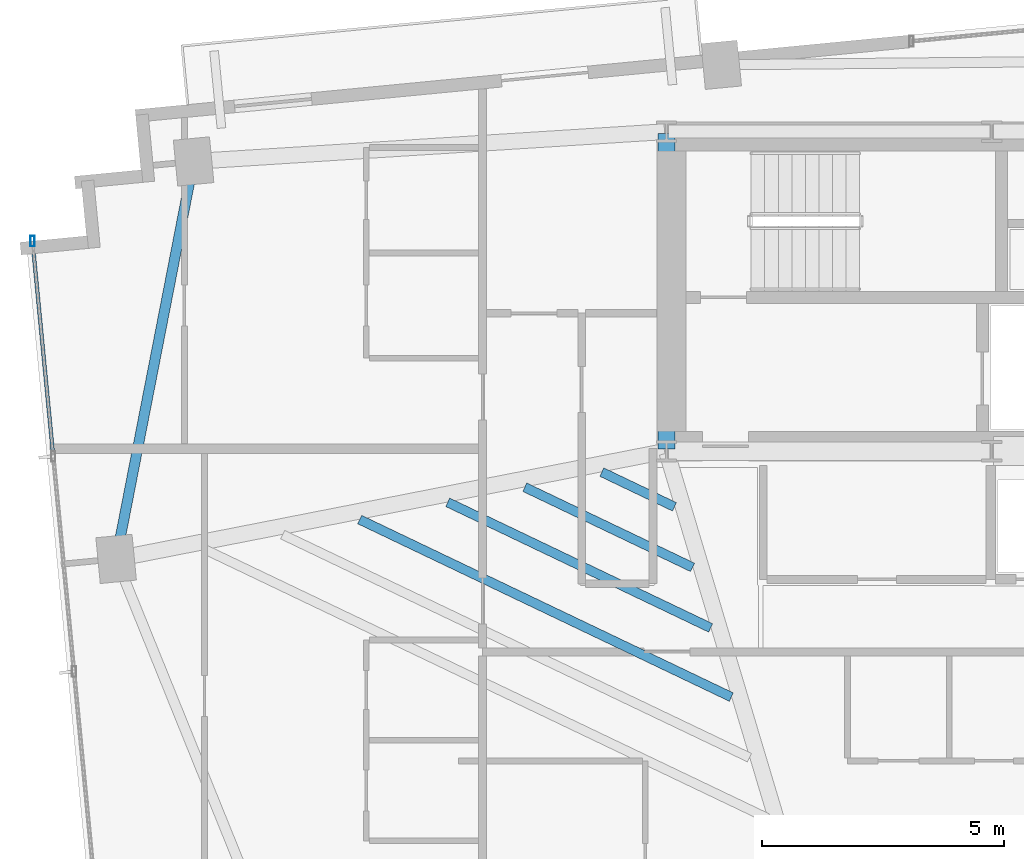
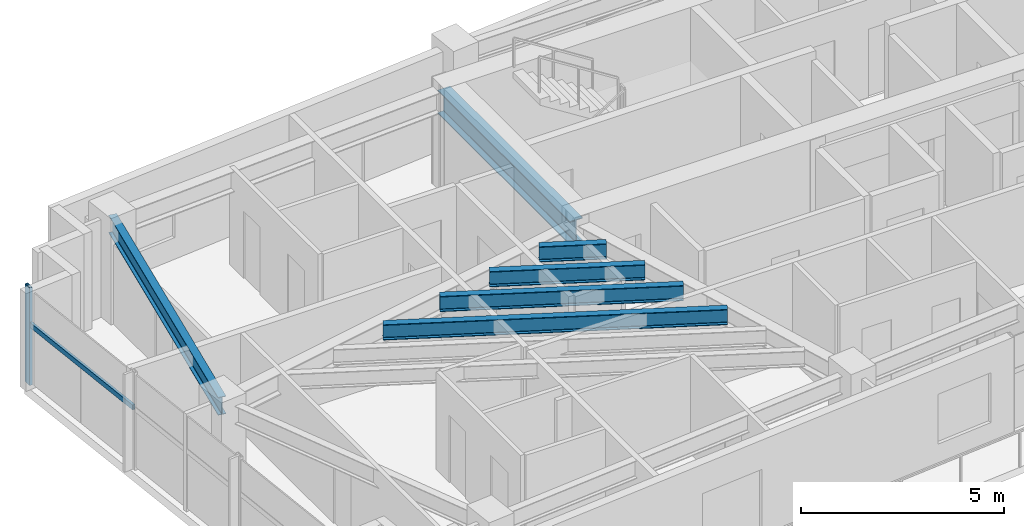
# One storey, part 3 of 18: 6 beams, 2 members, 1 element without a shape of its own.
"""IFC4 building model written with IfcOpenShell, lengths in metres."""

from ifc_helpers import new_model, si_unit, direction, frame, origin, origin_2d, place, context, subcontext, project, spatial, hollow_rectangle, i_section, extrude, source, transform, mapped, material, material_profile, profile_set, type_object, type_shapes, element, aggregate, save


model = new_model("IFC4")

# Units and contexts
model_context = context("Model", 3, precision=1e-05, world=origin(), true_north=direction((0.0, 1.0)))
body_context = subcontext(model_context, "Body", "Model", "MODEL_VIEW")
ifc_project = project(units=[si_unit("LENGTHUNIT", "METRE"), si_unit("AREAUNIT", "SQUARE_METRE"), si_unit("VOLUMEUNIT", "CUBIC_METRE"), si_unit("PLANEANGLEUNIT", "RADIAN"), si_unit("MASSUNIT", "GRAM", prefix="KILO")], contexts=[model_context])

# Site, building, storey
site_placement = place(None, origin())
site = spatial("IfcSite", under=ifc_project, at=site_placement, CompositionType="ELEMENT")
building_placement = place(site_placement, origin())
building = spatial("IfcBuilding", under=site, at=building_placement, Name="Astriad Promenade Condominiums", CompositionType="ELEMENT")
storey_placement = place(building_placement, frame((0.0, 0.0, 179.39990234375)))
storey = spatial("IfcBuildingStorey", under=building, at=storey_placement, Name="L51", CompositionType="ELEMENT", Elevation=179.39990234375)

# Beams
ifc_material_1 = material(Name="Steel ASTM A992 Grade 50", Category="steel")
ifc_material_profile_1 = material_profile(ifc_material_1, i_section(OverallWidth=0.35791015625, OverallDepth=0.706298828125, WebThickness=0.018310546875, FlangeThickness=0.0302734375, FilletRadius=0.020263671875, at=origin_2d()), Name="W27X178")
ifc_profile_set_1 = profile_set([ifc_material_profile_1], Name="Steel ASTM A992 Grade 50")
beam_type_1 = type_object("IfcBeamType", Name="STEEL FLOOR GIRDER W27X178", PredefinedType="BEAM", material=ifc_profile_set_1)
shared_shape_1 = source(origin(), body_context, "Body", "SweptSolid", [
    extrude(i_section(OverallWidth=0.35791015625, OverallDepth=0.706298828125, WebThickness=0.018310546875, FlangeThickness=0.0302734375, FilletRadius=0.020263671875, at=origin_2d()), origin(), (0.0, 0.0, 1.0), 6.52001953125),
])
type_shapes(beam_type_1, [shared_shape_1])
beam_1_placement = place(storey_placement, frame((26.39990234375, 17.43994140625, 2.5869140625), z_axis=(0.0, 1.0, 0.0), x_axis=(-1.0, 0.0, 0.0)))
element("IfcBeam", 1, at=beam_1_placement, inside=storey, type_object=beam_type_1, Name="Core Ring Beam CG-W1-L51", PredefinedType="BEAM", context=body_context, shape_type="MappedRepresentation", body=[
    mapped(shared_shape_1, transform((0.0, 0.0, 0.0), scale=1.0)),
])
ifc_material_profile_2 = material_profile(ifc_material_1, i_section(OverallWidth=0.210693359375, OverallDepth=0.53955078125, WebThickness=0.01171875, FlangeThickness=0.018798828125, FilletRadius=0.0166015625, at=origin_2d()), Name="W21X73")
ifc_profile_set_2 = profile_set([ifc_material_profile_2], Name="Steel ASTM A992 Grade 50")
beam_type_2 = type_object("IfcBeamType", Name="STEEL SPANDREL BEAM W21X73", PredefinedType="SPANDREL", material=ifc_profile_set_2)
shared_shape_2 = source(origin(), body_context, "Body", "SweptSolid", [
    extrude(i_section(OverallWidth=0.210693359375, OverallDepth=0.53955078125, WebThickness=0.01171875, FlangeThickness=0.018798828125, FilletRadius=0.0166015625, at=origin_2d()), origin(), (0.0, 0.0, 1.0), 8.28564453125),
])
type_shapes(beam_type_2, [shared_shape_2])
beam_2_placement = place(storey_placement, frame((16.62451171875, 23.3447265625, 2.67041015625), z_axis=(-0.191291582099, -0.981533254973, 0.0), x_axis=(0.981533254973, -0.191291582099, 0.0)))
element("IfcBeam", 2, at=beam_2_placement, inside=storey, type_object=beam_type_2, Name="Perimeter Spandrel Beam SP-W2-L51", PredefinedType="SPANDREL", context=body_context, shape_type="MappedRepresentation", body=[
    mapped(shared_shape_2, transform((0.0, 0.0, 0.0), scale=1.0)),
])
ifc_material_profile_3 = material_profile(ifc_material_1, i_section(OverallWidth=0.19287109375, OverallDepth=0.466064453125, WebThickness=0.011474609375, FlangeThickness=0.01904296875, FilletRadius=0.01513671875, at=origin_2d()), Name="W18X65")
ifc_profile_set_3 = profile_set([ifc_material_profile_3], Name="Steel ASTM A992 Grade 50")
beam_type_3 = type_object("IfcBeamType", Name="STEEL FLOOR JOIST W18X65", PredefinedType="JOIST", material=ifc_profile_set_3)
shared_shape_3 = source(origin(), body_context, "Body", "SweptSolid", [
    extrude(i_section(OverallWidth=0.19287109375, OverallDepth=0.466064453125, WebThickness=0.011474609375, FlangeThickness=0.01904296875, FilletRadius=0.01513671875, at=origin_2d()), origin(), (0.0, 0.0, 1.0), 8.508056640625),
])
beam_3_placement = place(storey_placement, frame((20.06298828125, 15.985595703125, 2.70703125), z_axis=(0.902339530667, -0.431025952113, 0.0), x_axis=(0.431025952113, 0.902339530667, 0.0)))
element("IfcBeam", 3, at=beam_3_placement, inside=storey, type_object=beam_type_3, Name="Secondary Composite Floor Joist JW1-3-L51", PredefinedType="JOIST", context=body_context, shape_type="MappedRepresentation", body=[
    mapped(shared_shape_3, transform((0.0, 0.0, 0.0), scale=1.0)),
])
shared_shape_4 = source(origin(), body_context, "Body", "SweptSolid", [
    extrude(i_section(OverallWidth=0.19287109375, OverallDepth=0.466064453125, WebThickness=0.011474609375, FlangeThickness=0.01904296875, FilletRadius=0.01513671875, at=origin_2d()), origin(), (0.0, 0.0, 1.0), 6.01904296875),
])
beam_4_placement = place(storey_placement, frame((21.882080078125, 16.342041015625, 2.70703125), z_axis=(0.902329759838, -0.431046406446, 0.0), x_axis=(0.431046406446, 0.902329759838, 0.0)))
element("IfcBeam", 4, at=beam_4_placement, inside=storey, type_object=beam_type_3, Name="Secondary Composite Floor Joist JW1-4-L51", PredefinedType="JOIST", context=body_context, shape_type="MappedRepresentation", body=[
    mapped(shared_shape_4, transform((0.0, 0.0, 0.0), scale=1.0)),
])
shared_shape_5 = source(origin(), body_context, "Body", "SweptSolid", [
    extrude(i_section(OverallWidth=0.19287109375, OverallDepth=0.466064453125, WebThickness=0.011474609375, FlangeThickness=0.01904296875, FilletRadius=0.01513671875, at=origin_2d()), origin(), (0.0, 0.0, 1.0), 3.84130859375),
])
beam_5_placement = place(storey_placement, frame((23.473388671875, 16.65380859375, 2.70703125), z_axis=(0.902328811953, -0.431048390693, 0.0), x_axis=(0.431048390693, 0.902328811953, 0.0)))
element("IfcBeam", 5, at=beam_5_placement, inside=storey, type_object=beam_type_3, Name="Secondary Composite Floor Joist JW1-5-L51", PredefinedType="JOIST", context=body_context, shape_type="MappedRepresentation", body=[
    mapped(shared_shape_5, transform((0.0, 0.0, 0.0), scale=1.0)),
])
shared_shape_6 = source(origin(), body_context, "Body", "SweptSolid", [
    extrude(i_section(OverallWidth=0.19287109375, OverallDepth=0.466064453125, WebThickness=0.011474609375, FlangeThickness=0.01904296875, FilletRadius=0.01513671875, at=origin_2d()), origin(), (0.0, 0.0, 1.0), 1.6630859375),
])
type_shapes(beam_type_3, [shared_shape_3, shared_shape_4, shared_shape_5, shared_shape_6])
beam_6_placement = place(storey_placement, frame((25.065185546875, 16.965576171875, 2.70703125), z_axis=(0.902355200591, -0.430993146077, 0.0), x_axis=(0.430993146077, 0.902355200591, 0.0)))
element("IfcBeam", 6, at=beam_6_placement, inside=storey, type_object=beam_type_3, Name="Secondary Composite Floor Joist JW1-6-L51", PredefinedType="JOIST", context=body_context, shape_type="MappedRepresentation", body=[
    mapped(shared_shape_6, transform((0.0, 0.0, 0.0), scale=1.0)),
])

# Curtain wall, members
ifc_material_2 = material(Name="Anodised aluminium Black Dark Glass Unitised", Category="aluminium")
curtain_wall_type = type_object("IfcCurtainWallType", Name="CW-B34-DARK", PredefinedType="USERDEFINED", material=ifc_material_2)
curtain_wall_placement = place(storey_placement, origin())
curtain_wall = element("IfcCurtainWall", 7, at=curtain_wall_placement, inside=storey, type_object=curtain_wall_type, Name="CW-L51-W", ObjectType="UNITISED_CURTAIN_WALL", PredefinedType="USERDEFINED")
ifc_material_3 = material(Name="Anodised aluminium 6063-T6 Black", Category="aluminium")
ifc_material_profile_4 = material_profile(ifc_material_3, hollow_rectangle(XDim=0.0849609375, YDim=0.219970703125, WallThickness=0.0048828125, at=origin_2d()), Name="ALU-MUL-85X220")
ifc_profile_set_4 = profile_set([ifc_material_profile_4], Name="Anodised aluminium 6063-T6 Black")
member_type_1 = type_object("IfcMemberType", Name="MUL-ALU-MUL-85X220", PredefinedType="MULLION", material=ifc_profile_set_4)
shared_shape_7 = source(origin(), body_context, "Body", "SweptSolid", [
    extrude(hollow_rectangle(XDim=0.0849609375, YDim=0.219970703125, WallThickness=0.0048828125, at=origin_2d()), origin(), (0.0, 0.0, 1.0), 2.940185546875),
])
type_shapes(member_type_1, [shared_shape_7])
member_1_placement = place(storey_placement, frame((13.3046875, 21.737548828125, 0.0), z_axis=(0.0, 0.0, 1.0), x_axis=(1.0, 0.0, 0.0)))
member_1 = element("IfcMember", 8, at=member_1_placement, type_object=member_type_1, Name="CW-L51-W-MUL-03", PredefinedType="MULLION", context=body_context, shape_type="MappedRepresentation", body=[
    mapped(shared_shape_7, transform((0.0, 0.0, 0.0), scale=1.0)),
])
ifc_material_profile_5 = material_profile(ifc_material_3, hollow_rectangle(XDim=0.074951171875, YDim=0.14990234375, WallThickness=0.004150390625, at=origin_2d()), Name="ALU-TRN-75X150")
ifc_profile_set_5 = profile_set([ifc_material_profile_5], Name="Anodised aluminium 6063-T6 Black")
member_type_2 = type_object("IfcMemberType", Name="TRN-ALU-TRN-75X150", PredefinedType="USERDEFINED", material=ifc_profile_set_5)
shared_shape_8 = source(origin(), body_context, "Body", "SweptSolid", [
    extrude(hollow_rectangle(XDim=0.074951171875, YDim=0.14990234375, WallThickness=0.004150390625, at=origin_2d()), origin(), (0.0, 0.0, 1.0), 4.466552734375),
])
type_shapes(member_type_2, [shared_shape_8])
member_2_placement = place(storey_placement, frame((13.732666015625, 17.29150390625, 1.822998046875), z_axis=(-0.095817598554, 0.995398908884, 0.0), x_axis=(-0.995398908884, -0.095817598554, 0.0)))
member_2 = element("IfcMember", 9, at=member_2_placement, type_object=member_type_2, Name="CW-L51-W-TRN-02-0", ObjectType="TRANSOM", PredefinedType="USERDEFINED", context=body_context, shape_type="MappedRepresentation", body=[
    mapped(shared_shape_8, transform((0.0, 0.0, 0.0), scale=1.0)),
])
aggregate(curtain_wall, [member_1, member_2])

save(model, "model.ifc")
